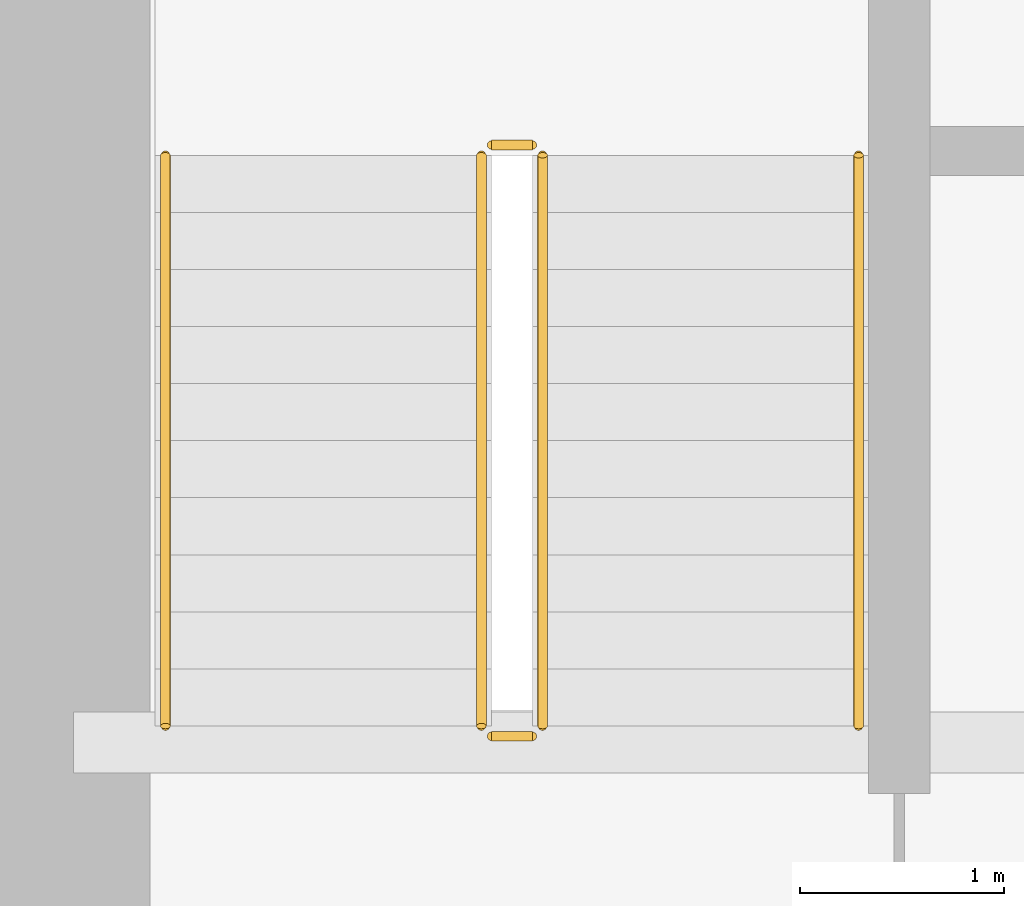
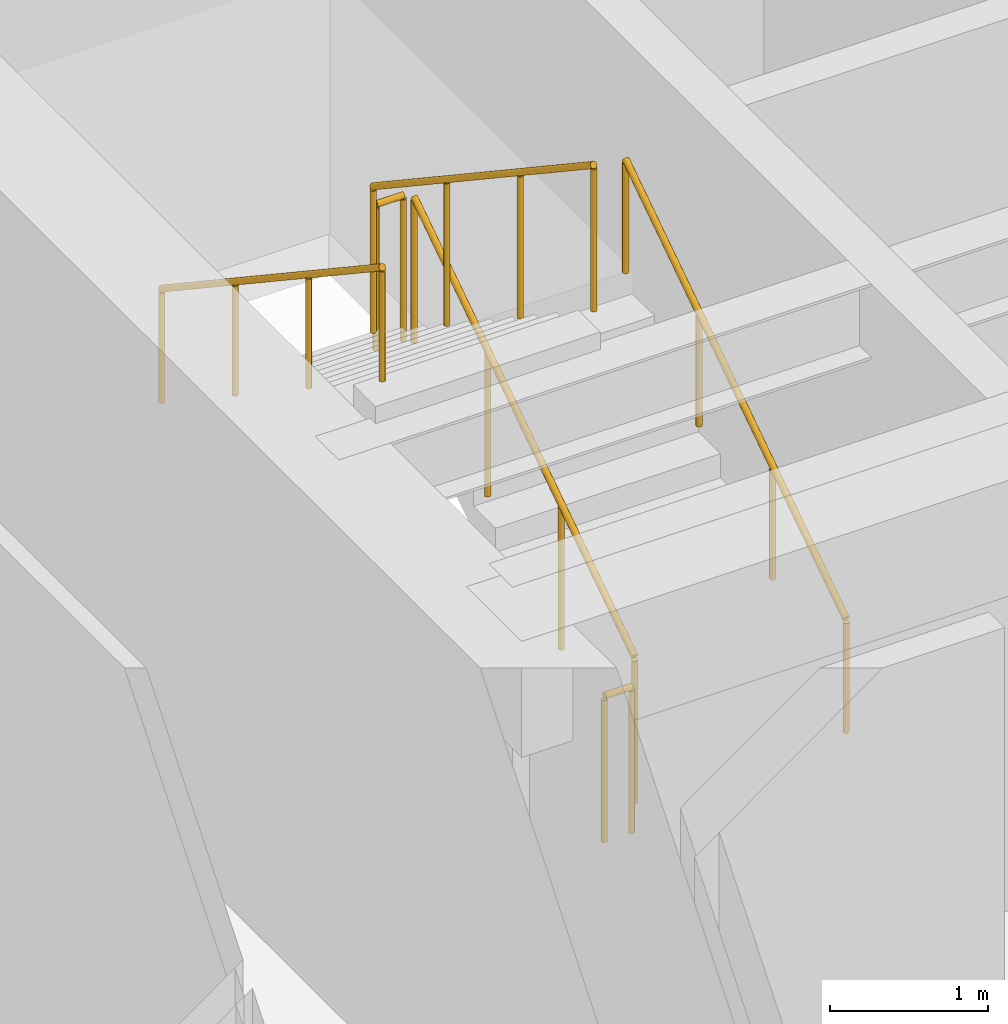
# One storey, part 34 of 35: 6 railings.
"""IFC4 building model written with IfcOpenShell, lengths in metres."""

from ifc_helpers import new_model, si_unit, direction, frame, origin, origin_2d, place, context, subcontext, project, spatial, circle, extrude, source, transform, mapped, material, type_object, type_shapes, element, save


model = new_model("IFC4")

# Units and contexts
model_context = context("Model", 3, precision=1e-05, world=origin(), true_north=direction((0.0, 1.0)))
body_context = subcontext(model_context, "Body", "Model", "MODEL_VIEW")
ifc_project = project(units=[si_unit("LENGTHUNIT", "METRE"), si_unit("AREAUNIT", "SQUARE_METRE"), si_unit("VOLUMEUNIT", "CUBIC_METRE"), si_unit("PLANEANGLEUNIT", "RADIAN"), si_unit("MASSUNIT", "GRAM", prefix="KILO")], contexts=[model_context])

# Site, building, storey
site_placement = place(None, origin())
site = spatial("IfcSite", under=ifc_project, at=site_placement, CompositionType="ELEMENT")
building_placement = place(site_placement, origin())
building = spatial("IfcBuilding", under=site, at=building_placement, Name="Haelvirn Gate Laboratories", CompositionType="ELEMENT")
storey_placement = place(building_placement, frame((0.0, 0.0, 86.699951171875)))
storey = spatial("IfcBuildingStorey", under=building, at=storey_placement, Name="L21", CompositionType="ELEMENT", Elevation=86.699951171875)

# Railings
ifc_material_1 = material(Name="Galvanised steel SM355 & stainless top rail", Category="steel")
railing_type_1 = type_object("IfcRailingType", Name="RL-GUARD-1150", PredefinedType="GUARDRAIL", material=ifc_material_1)
shared_shape_1 = source(origin(), body_context, "Body", "SweptSolid", [
    extrude(circle(Radius=0.02392578125, at=origin_2d()), frame((0.0, 0.0, 1.1259765625), z_axis=(-1.0, 0.0, 0.0), x_axis=(0.0, -1.0, 0.0)), (0.0, 0.0, 1.0), 0.199951171875),
    extrude(circle(Radius=0.02099609375, at=origin_2d()), origin(), (0.0, 0.0, 1.0), 1.101806640625),
    extrude(circle(Radius=0.02099609375, at=origin_2d()), frame((-0.199951171875, 0.0, 0.0)), (0.0, 0.0, 1.0), 1.101806640625),
])
for number, where, name in (
    (1, (9.64990234375, 29.550048828125, 2.050048828125), "L21 ST1 stair guard 2"),
    (2, (9.64990234375, 26.64990234375, 0.0), "L21 ST1 stair guard 4"),
):
    element("IfcRailing", number, at=place(storey_placement, frame(where)), inside=storey, type_object=railing_type_1, Name=name, PredefinedType="GUARDRAIL", context=body_context, shape_type="MappedRepresentation", body=[
        mapped(shared_shape_1, transform((0.0, 0.0, 0.0), scale=1.0)),
    ])
shared_shape_2 = source(origin(), body_context, "Body", "SweptSolid", [
    extrude(circle(Radius=0.02392578125, at=origin_2d()), frame((0.0, 0.0, 1.1259765625), z_axis=(0.0, 0.832485552168, 0.554046753832), x_axis=(-1.0, 0.0, 0.0)), (0.0, 0.0, 1.0), 3.363525390625),
    extrude(circle(Radius=0.02099609375, at=origin_2d()), origin(), (0.0, 0.0, 1.0), 1.101806640625),
    extrude(circle(Radius=0.02099609375, at=origin_2d()), frame((0.0, 0.933349609375, 0.62109375)), (0.0, 0.0, 1.0), 1.101806640625),
    extrude(circle(Radius=0.02099609375, at=origin_2d()), frame((0.0, 1.86669921875, 1.242431640625)), (0.0, 0.0, 1.0), 1.101806640625),
    extrude(circle(Radius=0.02099609375, at=origin_2d()), frame((0.0, 2.800048828125, 1.863525390625)), (0.0, 0.0, 1.0), 1.101806640625),
])
railing_1_placement = place(storey_placement, frame((9.699951171875, 26.699951171875, 0.1865234375)))
element("IfcRailing", 3, at=railing_1_placement, inside=storey, type_object=railing_type_1, Name="L21 ST1 stair guard 1", PredefinedType="GUARDRAIL", context=body_context, shape_type="MappedRepresentation", body=[
    mapped(shared_shape_2, transform((0.0, 0.0, 0.0), scale=1.0)),
])
shared_shape_3 = source(origin(), body_context, "Body", "SweptSolid", [
    extrude(circle(Radius=0.02392578125, at=origin_2d()), frame((0.0, 0.0, 1.1259765625), z_axis=(0.0, -0.832452072856, 0.554097055034), x_axis=(1.0, 0.0, 0.0)), (0.0, 0.0, 1.0), 3.363525390625),
    extrude(circle(Radius=0.02099609375, at=origin_2d()), origin(), (0.0, 0.0, 1.0), 1.101806640625),
    extrude(circle(Radius=0.02099609375, at=origin_2d()), frame((0.0, -0.933349609375, 0.621337890625)), (0.0, 0.0, 1.0), 1.101806640625),
    extrude(circle(Radius=0.02099609375, at=origin_2d()), frame((0.0, -1.86669921875, 1.242431640625)), (0.0, 0.0, 1.0), 1.101806640625),
    extrude(circle(Radius=0.02099609375, at=origin_2d()), frame((0.0, -2.800048828125, 1.86376953125)), (0.0, 0.0, 1.0), 1.101806640625),
])
type_shapes(railing_type_1, [shared_shape_1, shared_shape_2, shared_shape_3])
railing_2_placement = place(storey_placement, frame((9.39990234375, 29.5, 2.236328125)))
element("IfcRailing", 4, at=railing_2_placement, inside=storey, type_object=railing_type_1, Name="L21 ST1 stair guard 3", PredefinedType="GUARDRAIL", context=body_context, shape_type="MappedRepresentation", body=[
    mapped(shared_shape_3, transform((0.0, 0.0, 0.0), scale=1.0)),
])
ifc_material_2 = material(Name="Brushed stainless steel 316L", Category="steel")
railing_type_2 = type_object("IfcRailingType", Name="RL-HAND-920", PredefinedType="HANDRAIL", material=ifc_material_2)
shared_shape_4 = source(origin(), body_context, "Body", "SweptSolid", [
    extrude(circle(Radius=0.02392578125, at=origin_2d()), frame((0.0, 0.0, 0.8759765625), z_axis=(0.0, 0.832485552168, 0.554046753832), x_axis=(-1.0, 0.0, 0.0)), (0.0, 0.0, 1.0), 3.363525390625),
    extrude(circle(Radius=0.02099609375, at=origin_2d()), origin(), (0.0, 0.0, 1.0), 0.851806640625),
    extrude(circle(Radius=0.02099609375, at=origin_2d()), frame((0.0, 0.933349609375, 0.62109375)), (0.0, 0.0, 1.0), 0.851806640625),
    extrude(circle(Radius=0.02099609375, at=origin_2d()), frame((0.0, 1.86669921875, 1.242431640625)), (0.0, 0.0, 1.0), 0.851806640625),
    extrude(circle(Radius=0.02099609375, at=origin_2d()), frame((0.0, 2.800048828125, 1.863525390625)), (0.0, 0.0, 1.0), 0.851806640625),
])
railing_3_placement = place(storey_placement, frame((11.25, 26.699951171875, 0.1865234375)))
element("IfcRailing", 5, at=railing_3_placement, inside=storey, type_object=railing_type_2, Name="L21 ST1 stair handrail 1", PredefinedType="HANDRAIL", context=body_context, shape_type="MappedRepresentation", body=[
    mapped(shared_shape_4, transform((0.0, 0.0, 0.0), scale=1.0)),
])
shared_shape_5 = source(origin(), body_context, "Body", "SweptSolid", [
    extrude(circle(Radius=0.02392578125, at=origin_2d()), frame((0.0, 0.0, 0.8759765625), z_axis=(0.0, -0.832452072856, 0.554097055034), x_axis=(1.0, 0.0, 0.0)), (0.0, 0.0, 1.0), 3.363525390625),
    extrude(circle(Radius=0.02099609375, at=origin_2d()), origin(), (0.0, 0.0, 1.0), 0.851806640625),
    extrude(circle(Radius=0.02099609375, at=origin_2d()), frame((0.0, -0.933349609375, 0.621337890625)), (0.0, 0.0, 1.0), 0.851806640625),
    extrude(circle(Radius=0.02099609375, at=origin_2d()), frame((0.0, -1.86669921875, 1.242431640625)), (0.0, 0.0, 1.0), 0.851806640625),
    extrude(circle(Radius=0.02099609375, at=origin_2d()), frame((0.0, -2.800048828125, 1.86376953125)), (0.0, 0.0, 1.0), 0.851806640625),
])
type_shapes(railing_type_2, [shared_shape_4, shared_shape_5])
railing_4_placement = place(storey_placement, frame((7.85009765625, 29.5, 2.236328125)))
element("IfcRailing", 6, at=railing_4_placement, inside=storey, type_object=railing_type_2, Name="L21 ST1 stair handrail 2", PredefinedType="HANDRAIL", context=body_context, shape_type="MappedRepresentation", body=[
    mapped(shared_shape_5, transform((0.0, 0.0, 0.0), scale=1.0)),
])

save(model, "model.ifc")
